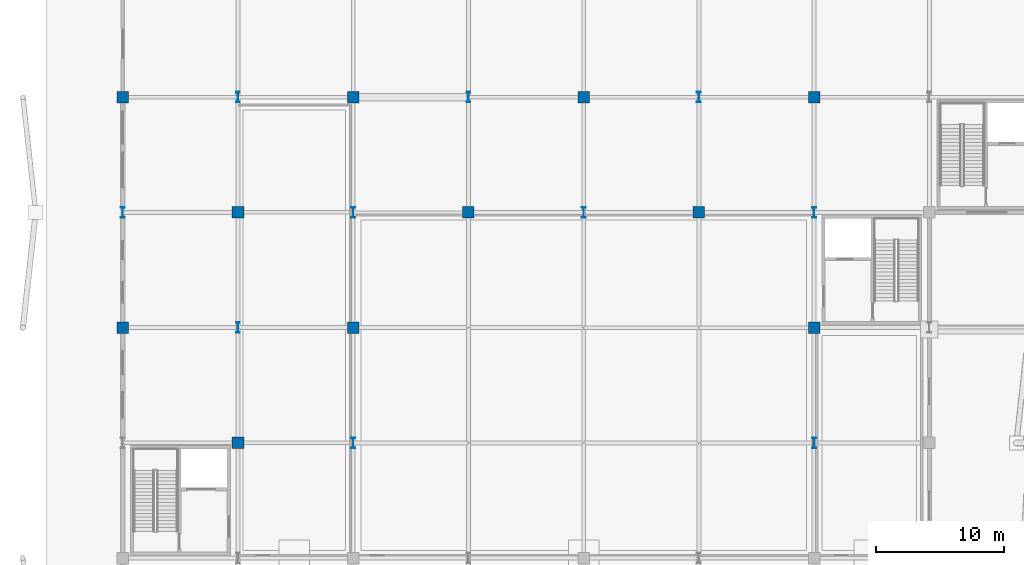
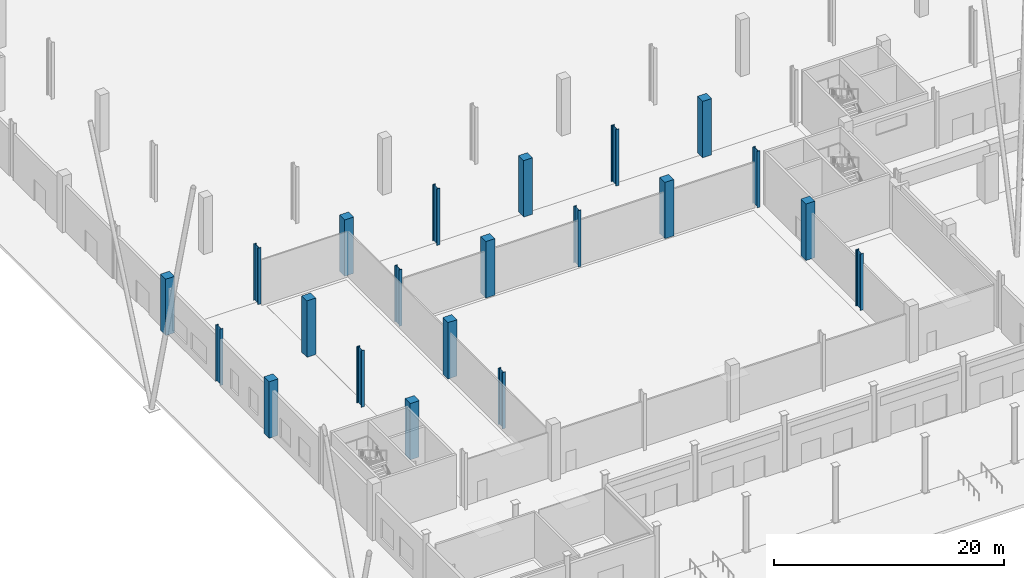
# One storey, part 2 of 58: 21 columns.
"""IFC4 building model written with IfcOpenShell, lengths in metres."""

from ifc_helpers import new_model, si_unit, direction, frame, origin, origin_2d, place, context, subcontext, project, spatial, rectangle, i_section, extrude, material, material_profile, profile_set, type_object, element, save


model = new_model("IFC4")

# Units and contexts
model_context = context("Model", 3, precision=1e-05, world=origin(), true_north=direction((0.0, 1.0)))
body_context = subcontext(model_context, "Body", "Model", "MODEL_VIEW")
ifc_project = project(units=[si_unit("LENGTHUNIT", "METRE"), si_unit("AREAUNIT", "SQUARE_METRE"), si_unit("VOLUMEUNIT", "CUBIC_METRE"), si_unit("PLANEANGLEUNIT", "RADIAN"), si_unit("MASSUNIT", "GRAM", prefix="KILO")], contexts=[model_context])

# Site, building, storey
site_placement = place(None, origin())
site = spatial("IfcSite", under=ifc_project, at=site_placement, CompositionType="ELEMENT")
building_placement = place(site_placement, origin())
building = spatial("IfcBuilding", under=site, at=building_placement, Name="Barlavento Convention Centre", CompositionType="ELEMENT")
storey_placement = place(building_placement, origin())
storey = spatial("IfcBuildingStorey", under=building, at=storey_placement, Name="L00", CompositionType="ELEMENT", Elevation=0.0)

# Columns
ifc_material_1 = material(Name="Steel S460", Category="steel")
ifc_material_profile_1 = material_profile(ifc_material_1, i_section(OverallWidth=0.302978515625, OverallDepth=0.81396484375, WebThickness=0.02099609375, FlangeThickness=0.0400390625, FilletRadius=0.030029296875, at=origin_2d()), Name="HEM 800")
ifc_profile_set_1 = profile_set([ifc_material_profile_1], Name="Steel S460")
column_type_1 = type_object("IfcColumnType", Name="STR-COL-HEM800", PredefinedType="COLUMN", material=ifc_profile_set_1)
for number, where, z_axis, x_axis, name in (
    (1, (0.0, 45.0, 0.0), (0.0, 0.0, 1.0), (1.0, 0.0, 0.0), "L00 column SC02"),
    (2, (9.0, 36.0, 0.0), (0.0, 0.0, 1.0), (1.0, 0.0, 0.0), "L00 column SC02"),
    (3, (9.0, 54.0, 0.0), (0.0, 0.0, 1.0), (1.0, 0.0, 0.0), "L00 column SC02"),
    (4, (18.0, 27.0, 0.0), (0.0, 0.0, 1.0), (1.0, 0.0, 0.0), "L00 column SC02"),
    (5, (18.0, 45.0, 0.0), (0.0, 0.0, 1.0), (1.0, 0.0, 0.0), "L00 column SC02"),
    (6, (27.0, 54.0, 0.0), (0.0, 0.0, 1.0), (1.0, 0.0, 0.0), "L00 column SC02"),
    (7, (36.0, 45.0, 0.0), (0.0, 0.0, 1.0), (1.0, 0.0, 0.0), "L00 column SC02"),
    (8, (45.0, 54.0, 0.0), (0.0, 0.0, 1.0), (1.0, 0.0, 0.0), "L00 column SC02"),
    (9, (54.0, 27.0, 0.0), (0.0, 0.0, 1.0), (1.0, 0.0, 0.0), "L00 column SC02"),
    (10, (54.0, 45.0, 0.0), (0.0, 0.0, 1.0), (1.0, 0.0, 0.0), "L00 column SC02"),
):
    element("IfcColumn", number, at=place(storey_placement, frame(where, z_axis=z_axis, x_axis=x_axis)), inside=storey, type_object=column_type_1, Name=name, PredefinedType="COLUMN", context=body_context, shape_type="SweptSolid", body=[
        extrude(i_section(OverallWidth=0.302978515625, OverallDepth=0.81396484375, WebThickness=0.02099609375, FlangeThickness=0.0400390625, FilletRadius=0.030029296875, at=origin_2d()), origin(), (0.0, 0.0, 1.0), 6.0),
    ])
ifc_material_2 = material(Name="Concrete C50/60", Category="concrete")
ifc_material_profile_2 = material_profile(ifc_material_2, rectangle(XDim=0.89990234375, YDim=0.89990234375, at=origin_2d()), Name="RC 900x900")
ifc_profile_set_2 = profile_set([ifc_material_profile_2], Name="Concrete C50/60")
column_type_2 = type_object("IfcColumnType", Name="STR-COL-RC900", PredefinedType="COLUMN", material=ifc_profile_set_2)
for number, where, z_axis, x_axis, name in (
    (11, (0.0, 36.0, 0.0), (0.0, 0.0, 1.0), (1.0, 0.0, 0.0), "L00 column CC04"),
    (12, (0.0, 54.0, 0.0), (0.0, 0.0, 1.0), (1.0, 0.0, 0.0), "L00 column CC04"),
    (13, (9.0, 27.0, 0.0), (0.0, 0.0, 1.0), (1.0, 0.0, 0.0), "L00 column CC04"),
    (14, (9.0, 45.0, 0.0), (0.0, 0.0, 1.0), (1.0, 0.0, 0.0), "L00 column CC04"),
    (15, (18.0, 36.0, 0.0), (0.0, 0.0, 1.0), (1.0, 0.0, 0.0), "L00 column CC04"),
    (16, (18.0, 54.0, 0.0), (0.0, 0.0, 1.0), (1.0, 0.0, 0.0), "L00 column CC04"),
    (17, (27.0, 45.0, 0.0), (0.0, 0.0, 1.0), (1.0, 0.0, 0.0), "L00 column CC04"),
    (18, (36.0, 54.0, 0.0), (0.0, 0.0, 1.0), (1.0, 0.0, 0.0), "L00 column CC04"),
    (19, (45.0, 45.0, 0.0), (0.0, 0.0, 1.0), (1.0, 0.0, 0.0), "L00 column CC04"),
    (20, (54.0, 36.0, 0.0), (0.0, 0.0, 1.0), (1.0, 0.0, 0.0), "L00 column CC04"),
    (21, (54.0, 54.0, 0.0), (0.0, 0.0, 1.0), (1.0, 0.0, 0.0), "L00 column CC04"),
):
    element("IfcColumn", number, at=place(storey_placement, frame(where, z_axis=z_axis, x_axis=x_axis)), inside=storey, type_object=column_type_2, Name=name, PredefinedType="COLUMN", context=body_context, shape_type="SweptSolid", body=[
        extrude(rectangle(XDim=0.89990234375, YDim=0.89990234375, at=origin_2d()), origin(), (0.0, 0.0, 1.0), 6.0),
    ])

save(model, "model.ifc")
